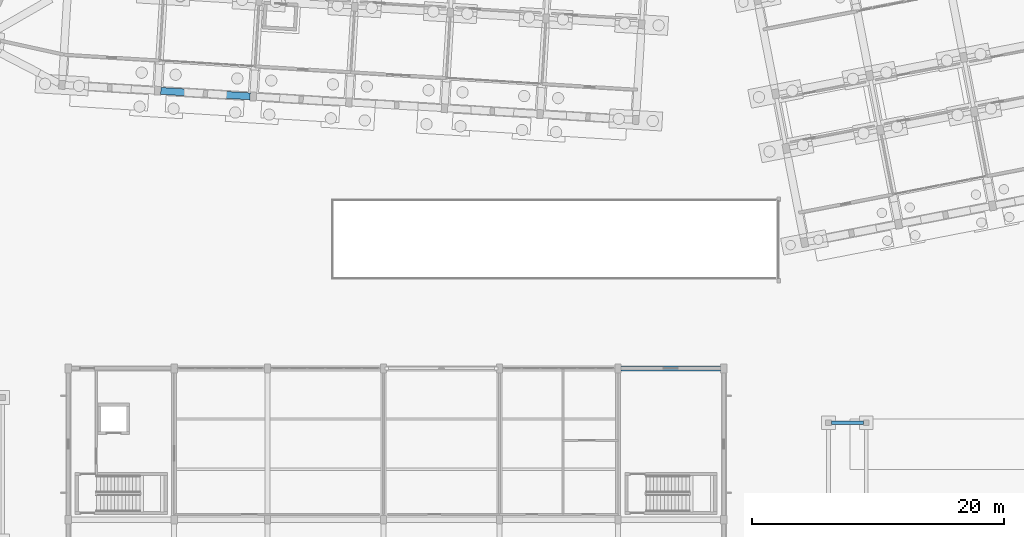
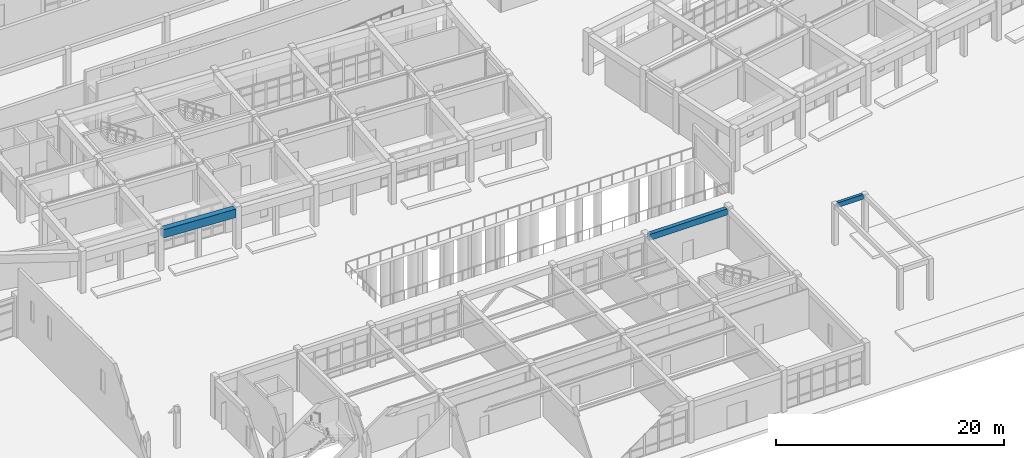
# One storey, part 45 of 154: 3 beams.
"""IFC4 building model written with IfcOpenShell, lengths in metres."""

from ifc_helpers import new_model, si_unit, direction, frame, origin, origin_2d, place, context, subcontext, project, spatial, rectangle, extrude, material, material_profile, profile_set, type_object, element, save


model = new_model("IFC4")

# Units and contexts
model_context = context("Model", 3, precision=1e-05, world=origin(), true_north=direction((0.0, 1.0)))
body_context = subcontext(model_context, "Body", "Model", "MODEL_VIEW")
ifc_project = project(units=[si_unit("LENGTHUNIT", "METRE"), si_unit("AREAUNIT", "SQUARE_METRE"), si_unit("VOLUMEUNIT", "CUBIC_METRE"), si_unit("PLANEANGLEUNIT", "RADIAN"), si_unit("MASSUNIT", "GRAM", prefix="KILO")], contexts=[model_context])

# Site, building, storey
site_placement = place(None, origin())
site = spatial("IfcSite", under=ifc_project, at=site_placement, CompositionType="ELEMENT")
building_placement = place(site_placement, origin())
building = spatial("IfcBuilding", under=site, at=building_placement, Name="Kestramere Prow Commons", CompositionType="ELEMENT")
storey_placement = place(building_placement, origin())
storey = spatial("IfcBuildingStorey", under=building, at=storey_placement, Name="L00", CompositionType="ELEMENT", Elevation=0.0)

# Beams
ifc_material = material(Name="Precast concrete C40/50", Category="concrete")
ifc_material_profile_1 = material_profile(ifc_material, rectangle(XDim=0.39990234375, YDim=0.64990234375, at=origin_2d()), Name="PC-BM 400x650")
ifc_profile_set_1 = profile_set([ifc_material_profile_1], Name="Precast concrete C40/50")
beam_type_1 = type_object("IfcBeamType", Name="BM-MK-01 PC-BM 400x650 (EX)", PredefinedType="BEAM", material=ifc_profile_set_1)
beam_1_placement = place(storey_placement, frame((103.85009765625, 24.0, 3.925048828125), z_axis=(1.0, 0.0, 0.0), x_axis=(0.0, 1.0, 0.0)))
element("IfcBeam", 1, at=beam_1_placement, inside=storey, type_object=beam_type_1, Name="Market Spine L00 Beam X 3-6", PredefinedType="BEAM", context=body_context, shape_type="SweptSolid", body=[
    extrude(rectangle(XDim=0.39990234375, YDim=0.64990234375, at=origin_2d()), origin(), (0.0, 0.0, 1.0), 7.89990234375),
])
ifc_material_profile_2 = material_profile(ifc_material, rectangle(XDim=0.300048828125, YDim=0.5, at=origin_2d()), Name="PC-BM 300x500")
ifc_profile_set_2 = profile_set([ifc_material_profile_2], Name="Precast concrete C40/50")
beam_type_2 = type_object("IfcBeamType", Name="BM-TIE-01 PC-BM 300x500 (EX)", PredefinedType="BEAM", material=ifc_profile_set_2)
beam_2_placement = place(storey_placement, frame((120.52490234375, 19.699951171875, 4.14990234375), z_axis=(1.0, 0.0, 0.0), x_axis=(0.0, 1.0, 0.0)))
element("IfcBeam", 2, at=beam_2_placement, inside=storey, type_object=beam_type_2, Name="Canopy EAST Transverse Beam 2", PredefinedType="BEAM", context=body_context, shape_type="SweptSolid", body=[
    extrude(rectangle(XDim=0.300048828125, YDim=0.5, at=origin_2d()), origin(), (0.0, 0.0, 1.0), 2.550048828125),
])
ifc_material_profile_3 = material_profile(ifc_material, rectangle(XDim=0.550048828125, YDim=0.89990234375, at=origin_2d()), Name="PC-TG 550x900")
ifc_profile_set_3 = profile_set([ifc_material_profile_3], Name="Precast concrete C40/50")
beam_type_3 = type_object("IfcBeamType", Name="TG-01 PC-TG 550x900 (EX)", PredefinedType="BEAM", material=ifc_profile_set_3)
beam_3_placement = place(storey_placement, frame((67.33544921875, 46.020751953125, 3.800048828125), z_axis=(0.998135568114, -0.061035953884, 0.0), x_axis=(0.061035953884, 0.998135568114, 0.0)))
element("IfcBeam", 3, at=beam_3_placement, inside=storey, type_object=beam_type_3, Name="Block C L00 Longitudinal Beam 1-2", PredefinedType="BEAM", context=body_context, shape_type="SweptSolid", body=[
    extrude(rectangle(XDim=0.550048828125, YDim=0.89990234375, at=origin_2d()), origin(), (0.0, 0.0, 1.0), 7.099853515625),
])

save(model, "model.ifc")
